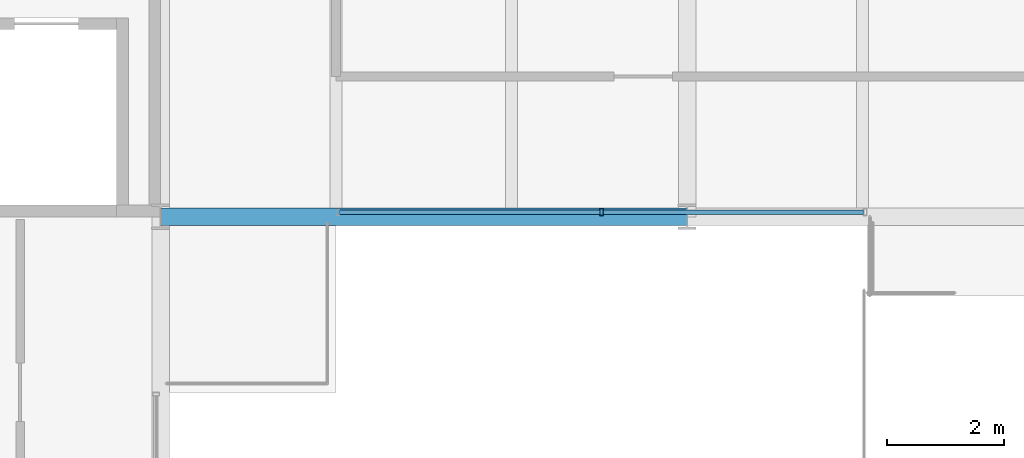
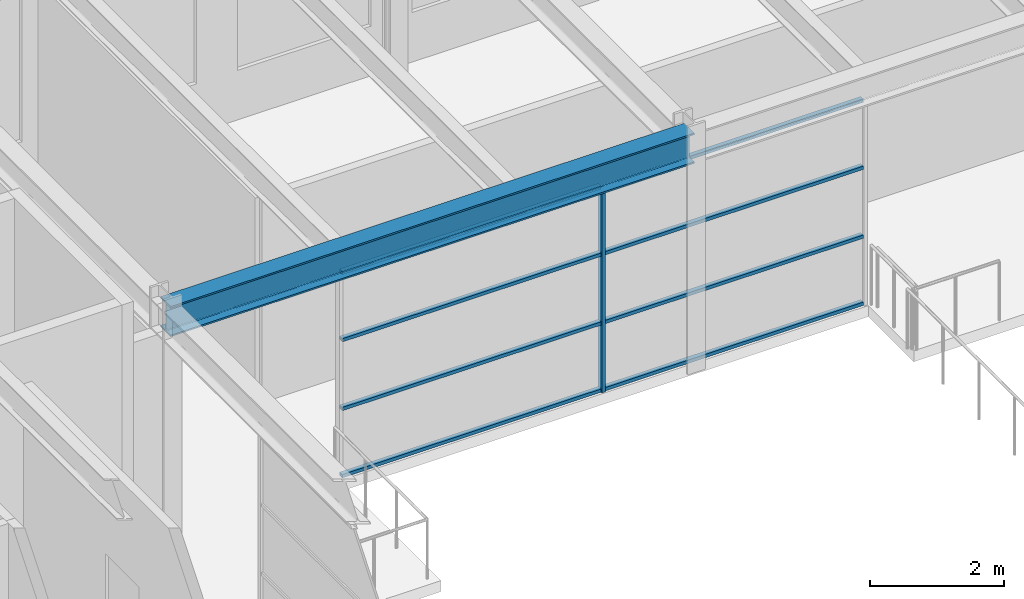
# One storey, part 59 of 153: 9 members, 1 beam, 1 element without a shape of its own.
"""IFC4 building model written with IfcOpenShell, lengths in metres."""

from ifc_helpers import new_model, si_unit, direction, frame, origin, origin_2d, place, context, subcontext, project, spatial, hollow_rectangle, i_section, extrude, material, material_profile, profile_set, type_object, element, aggregate, save


model = new_model("IFC4")

# Units and contexts
model_context = context("Model", 3, precision=1e-05, world=origin(), true_north=direction((0.0, 1.0)))
body_context = subcontext(model_context, "Body", "Model", "MODEL_VIEW")
ifc_project = project(units=[si_unit("LENGTHUNIT", "METRE"), si_unit("AREAUNIT", "SQUARE_METRE"), si_unit("VOLUMEUNIT", "CUBIC_METRE"), si_unit("PLANEANGLEUNIT", "RADIAN"), si_unit("MASSUNIT", "GRAM", prefix="KILO")], contexts=[model_context])

# Site, building, storey
site_placement = place(None, origin())
site = spatial("IfcSite", under=ifc_project, at=site_placement, CompositionType="ELEMENT")
building_placement = place(site_placement, origin())
building = spatial("IfcBuilding", under=site, at=building_placement, Name="Kallimachos Central Library", CompositionType="ELEMENT")
storey_placement = place(building_placement, frame((0.0, 0.0, 5.39990234375)))
storey = spatial("IfcBuildingStorey", under=building, at=storey_placement, Name="L01", CompositionType="ELEMENT", Elevation=5.39990234375)

# Curtain wall, members
ifc_material_1 = material(Name="Aluminium and laminated glass", Category="aluminium")
curtain_wall_type = type_object("IfcCurtainWallType", Name="Atrium glazed screen", PredefinedType="NOTDEFINED", material=ifc_material_1)
curtain_wall_placement = place(storey_placement, origin())
curtain_wall = element("IfcCurtainWall", 1, at=curtain_wall_placement, inside=storey, type_object=curtain_wall_type, Name="L01 atrium screen N", PredefinedType="NOTDEFINED")
ifc_material_2 = material(Name="Anodised aluminium", Category="aluminium")
ifc_material_profile_1 = material_profile(ifc_material_2, hollow_rectangle(XDim=0.06005859375, YDim=0.1201171875, WallThickness=0.00390625, at=origin_2d()), Name="ALU MULLION 60x120")
ifc_profile_set_1 = profile_set([ifc_material_profile_1], Name="Anodised aluminium")
member_type_1 = type_object("IfcMemberType", Name="Atrium screen mullion", PredefinedType="MULLION", material=ifc_profile_set_1)
member_1_placement = place(storey_placement, frame((82.03759765625, 75.080078125, 0.0), z_axis=(0.0, 0.0, 1.0), x_axis=(1.0, 0.0, 0.0)))
member_1 = element("IfcMember", 2, at=member_1_placement, type_object=member_type_1, Name="CW mullion 2", PredefinedType="MULLION", context=body_context, shape_type="SweptSolid", body=[
    extrude(hollow_rectangle(XDim=0.06005859375, YDim=0.1201171875, WallThickness=0.00390625, at=origin_2d()), origin(), (0.0, 0.0, 1.0), 3.75),
])
ifc_material_3 = material(Name="Anodised aluminium", Category="aluminium")
ifc_material_profile_2 = material_profile(ifc_material_3, hollow_rectangle(XDim=0.06005859375, YDim=0.080078125, WallThickness=0.00390625, at=origin_2d()), Name="ALU TRANSOM 60x80")
ifc_profile_set_2 = profile_set([ifc_material_profile_2], Name="Anodised aluminium")
member_type_2 = type_object("IfcMemberType", Name="Atrium screen transom", PredefinedType="USERDEFINED", material=ifc_profile_set_2)
member_2_placement = place(storey_placement, frame((77.56005859375, 75.080078125, 0.030029296875), z_axis=(1.0, 0.0, 0.0), x_axis=(0.0, 0.0, 1.0)))
member_2 = element("IfcMember", 3, at=member_2_placement, type_object=member_type_2, Name="CW transom 1.1", ObjectType="TRANSOM", PredefinedType="USERDEFINED", context=body_context, shape_type="SweptSolid", body=[
    extrude(hollow_rectangle(XDim=0.06005859375, YDim=0.080078125, WallThickness=0.00390625, at=origin_2d()), origin(), (0.0, 0.0, 1.0), 4.447509765625),
])
member_3_placement = place(storey_placement, frame((77.56005859375, 75.080078125, 1.25), z_axis=(1.0, 0.0, 0.0), x_axis=(0.0, 0.0, 1.0)))
member_3 = element("IfcMember", 4, at=member_3_placement, type_object=member_type_2, Name="CW transom 1.2", ObjectType="TRANSOM", PredefinedType="USERDEFINED", context=body_context, shape_type="SweptSolid", body=[
    extrude(hollow_rectangle(XDim=0.06005859375, YDim=0.080078125, WallThickness=0.00390625, at=origin_2d()), origin(), (0.0, 0.0, 1.0), 4.447509765625),
])
member_4_placement = place(storey_placement, frame((77.56005859375, 75.080078125, 2.5), z_axis=(1.0, 0.0, 0.0), x_axis=(0.0, 0.0, 1.0)))
member_4 = element("IfcMember", 5, at=member_4_placement, type_object=member_type_2, Name="CW transom 1.3", ObjectType="TRANSOM", PredefinedType="USERDEFINED", context=body_context, shape_type="SweptSolid", body=[
    extrude(hollow_rectangle(XDim=0.06005859375, YDim=0.080078125, WallThickness=0.00390625, at=origin_2d()), origin(), (0.0, 0.0, 1.0), 4.447509765625),
])
member_5_placement = place(storey_placement, frame((77.56005859375, 75.080078125, 3.72021484375), z_axis=(1.0, 0.0, 0.0), x_axis=(0.0, 0.0, 1.0)))
member_5 = element("IfcMember", 6, at=member_5_placement, type_object=member_type_2, Name="CW transom 1.4", ObjectType="TRANSOM", PredefinedType="USERDEFINED", context=body_context, shape_type="SweptSolid", body=[
    extrude(hollow_rectangle(XDim=0.06005859375, YDim=0.080078125, WallThickness=0.00390625, at=origin_2d()), origin(), (0.0, 0.0, 1.0), 4.447509765625),
])
member_6_placement = place(storey_placement, frame((82.0673828125, 75.080078125, 0.030029296875), z_axis=(1.0, 0.0, 0.0), x_axis=(0.0, 0.0, 1.0)))
member_6 = element("IfcMember", 7, at=member_6_placement, type_object=member_type_2, Name="CW transom 2.1", ObjectType="TRANSOM", PredefinedType="USERDEFINED", context=body_context, shape_type="SweptSolid", body=[
    extrude(hollow_rectangle(XDim=0.06005859375, YDim=0.080078125, WallThickness=0.00390625, at=origin_2d()), origin(), (0.0, 0.0, 1.0), 4.447509765625),
])
member_7_placement = place(storey_placement, frame((82.0673828125, 75.080078125, 1.25), z_axis=(1.0, 0.0, 0.0), x_axis=(0.0, 0.0, 1.0)))
member_7 = element("IfcMember", 8, at=member_7_placement, type_object=member_type_2, Name="CW transom 2.2", ObjectType="TRANSOM", PredefinedType="USERDEFINED", context=body_context, shape_type="SweptSolid", body=[
    extrude(hollow_rectangle(XDim=0.06005859375, YDim=0.080078125, WallThickness=0.00390625, at=origin_2d()), origin(), (0.0, 0.0, 1.0), 4.447509765625),
])
member_8_placement = place(storey_placement, frame((82.0673828125, 75.080078125, 2.5), z_axis=(1.0, 0.0, 0.0), x_axis=(0.0, 0.0, 1.0)))
member_8 = element("IfcMember", 9, at=member_8_placement, type_object=member_type_2, Name="CW transom 2.3", ObjectType="TRANSOM", PredefinedType="USERDEFINED", context=body_context, shape_type="SweptSolid", body=[
    extrude(hollow_rectangle(XDim=0.06005859375, YDim=0.080078125, WallThickness=0.00390625, at=origin_2d()), origin(), (0.0, 0.0, 1.0), 4.447509765625),
])
member_9_placement = place(storey_placement, frame((82.0673828125, 75.080078125, 3.72021484375), z_axis=(1.0, 0.0, 0.0), x_axis=(0.0, 0.0, 1.0)))
member_9 = element("IfcMember", 10, at=member_9_placement, type_object=member_type_2, Name="CW transom 2.4", ObjectType="TRANSOM", PredefinedType="USERDEFINED", context=body_context, shape_type="SweptSolid", body=[
    extrude(hollow_rectangle(XDim=0.06005859375, YDim=0.080078125, WallThickness=0.00390625, at=origin_2d()), origin(), (0.0, 0.0, 1.0), 4.447509765625),
])
aggregate(curtain_wall, [member_1, member_2, member_3, member_4, member_5, member_6, member_7, member_8, member_9])

# Beam
ifc_material_4 = material(Name="Steel S355J2", Category="steel")
ifc_material_profile_3 = material_profile(ifc_material_4, i_section(OverallWidth=0.300048828125, OverallDepth=0.550048828125, WebThickness=0.014892578125, FlangeThickness=0.029052734375, FilletRadius=0.027099609375, at=origin_2d()), Name="HEB 550")
ifc_profile_set_3 = profile_set([ifc_material_profile_3], Name="Steel S355J2")
beam_type = type_object("IfcBeamType", Name="HEB 550 beam", PredefinedType="BEAM", material=ifc_profile_set_3)
beam_placement = place(storey_placement, frame((74.5, 75.0, 4.025146484375), z_axis=(1.0, 0.0, 0.0), x_axis=(0.0, 1.0, 0.0)))
element("IfcBeam", 11, at=beam_placement, inside=storey, type_object=beam_type, Name="V4-BEM-L01-001", PredefinedType="BEAM", context=body_context, shape_type="SweptSolid", body=[
    extrude(i_section(OverallWidth=0.300048828125, OverallDepth=0.550048828125, WebThickness=0.014892578125, FlangeThickness=0.029052734375, FilletRadius=0.027099609375, at=origin_2d()), origin(), (0.0, 0.0, 1.0), 9.0),
])

save(model, "model.ifc")
